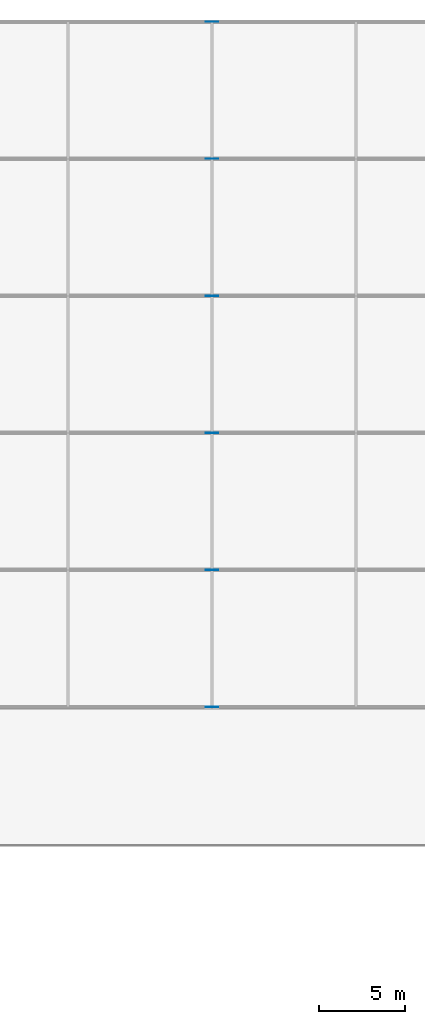
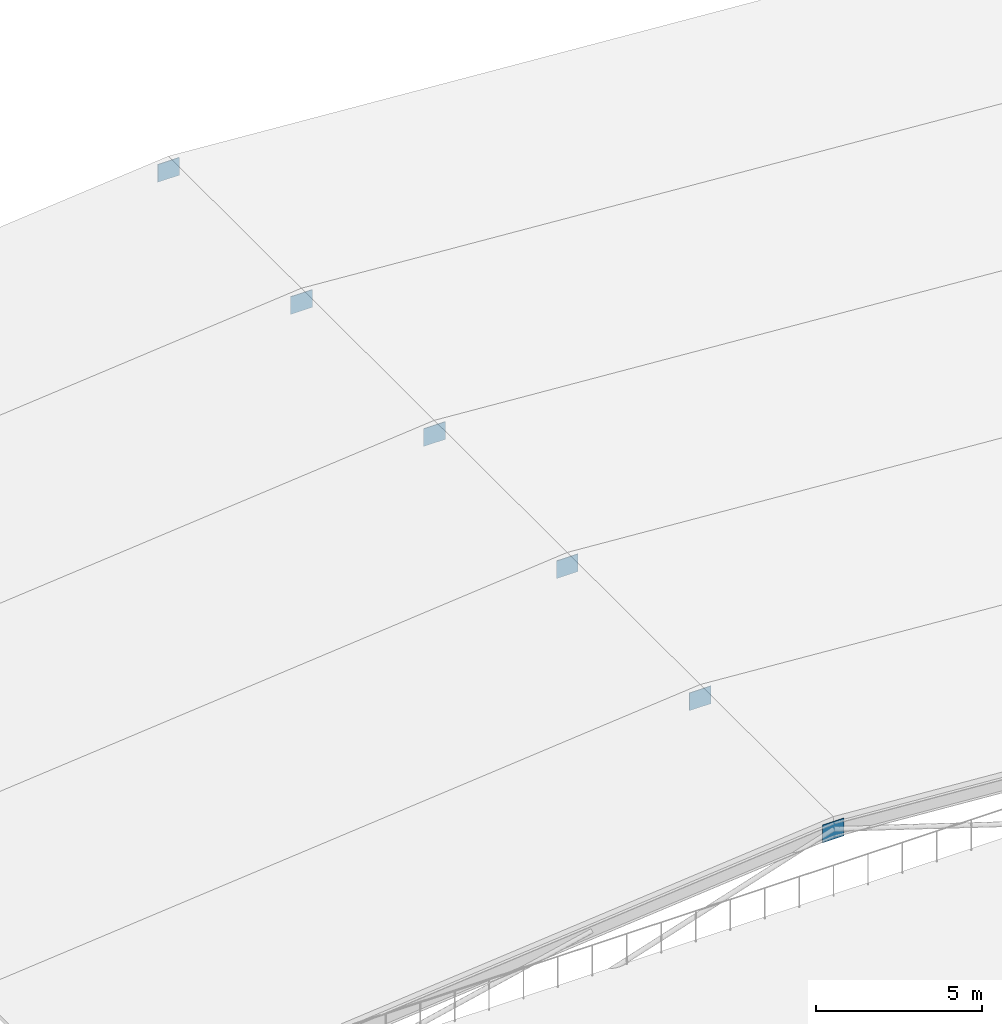
# One storey, part 19 of 37: 6 plates.
"""IFC4 building model written with IfcOpenShell, lengths in metres."""

from ifc_helpers import new_model, si_unit, direction, frame, origin, origin_2d, place, context, subcontext, project, spatial, rectangle, extrude, material, layer, layer_set, type_object, element, save


model = new_model("IFC4")

# Units and contexts
model_context = context("Model", 3, precision=1e-05, world=origin(), true_north=direction((0.0, 1.0)))
body_context = subcontext(model_context, "Body", "Model", "MODEL_VIEW")
ifc_project = project(units=[si_unit("LENGTHUNIT", "METRE"), si_unit("AREAUNIT", "SQUARE_METRE"), si_unit("VOLUMEUNIT", "CUBIC_METRE"), si_unit("PLANEANGLEUNIT", "RADIAN"), si_unit("MASSUNIT", "GRAM", prefix="KILO")], contexts=[model_context])

# Site, building, storey
site_placement = place(None, origin())
site = spatial("IfcSite", under=ifc_project, at=site_placement, CompositionType="ELEMENT")
building_placement = place(site_placement, origin())
building = spatial("IfcBuilding", under=site, at=building_placement, Name="Naruveol Harbour Congress Hotel", CompositionType="ELEMENT")
storey_placement = place(building_placement, frame((0.0, 0.0, 16.199951171875)))
storey = spatial("IfcBuildingStorey", under=building, at=storey_placement, Name="L03", CompositionType="ELEMENT", Elevation=16.199951171875)

# Plates
ifc_material = material(Name="Steel SN490", Category="steel")
ifc_layer = layer(ifc_material, 0.02392578125)
ifc_layer_set = layer_set([ifc_layer], Name="Steel SN490")
plate_type = type_object("IfcPlateType", Name="STEEL TRUSS GUSSET PLATE 24", PredefinedType="USERDEFINED", material=ifc_layer_set)
for number, where, z_axis, x_axis, name in (
    (1, (92.39990234375, 72.0, 2.025146484375), (0.0, 0.0, 1.0), (1.0, 0.0, 0.0), "Ballroom apex gusset plate #1"),
    (2, (92.39990234375, 80.0, 2.025146484375), (0.0, 0.0, 1.0), (1.0, 0.0, 0.0), "Ballroom apex gusset plate #2"),
    (3, (92.39990234375, 88.0, 2.025146484375), (0.0, 0.0, 1.0), (1.0, 0.0, 0.0), "Ballroom apex gusset plate #3"),
    (4, (92.39990234375, 96.0, 2.025146484375), (0.0, 0.0, 1.0), (1.0, 0.0, 0.0), "Ballroom apex gusset plate #4"),
    (5, (92.39990234375, 104.0, 2.025146484375), (0.0, 0.0, 1.0), (1.0, 0.0, 0.0), "Ballroom apex gusset plate #5"),
    (6, (92.39990234375, 112.0, 2.025146484375), (0.0, 0.0, 1.0), (1.0, 0.0, 0.0), "Ballroom apex gusset plate #6"),
):
    element("IfcPlate", number, at=place(storey_placement, frame(where, z_axis=z_axis, x_axis=x_axis)), inside=storey, type_object=plate_type, Name=name, ObjectType="GUSSET PLATE", PredefinedType="USERDEFINED", context=body_context, shape_type="SweptSolid", body=[
        extrude(rectangle(XDim=0.75, YDim=0.02392578125, at=origin_2d()), origin(), (0.0, 0.0, 1.0), 0.64990234375),
    ])

save(model, "model.ifc")
